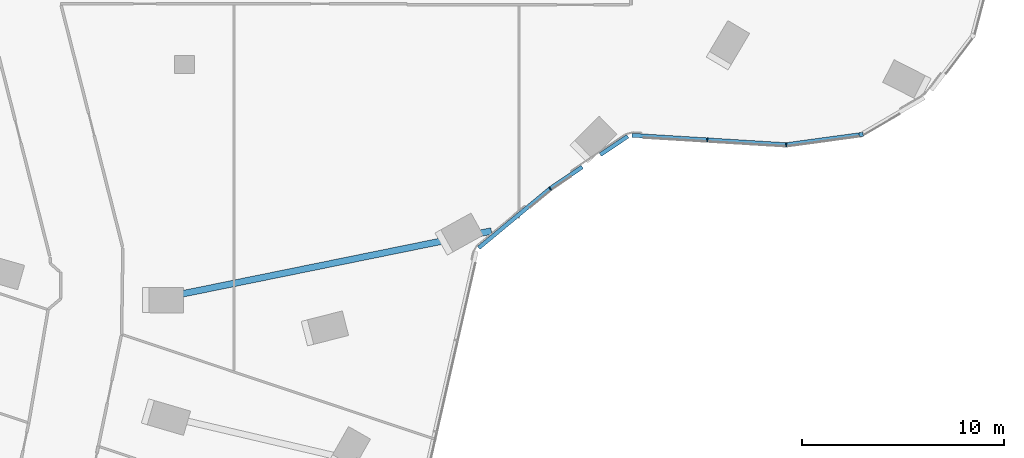
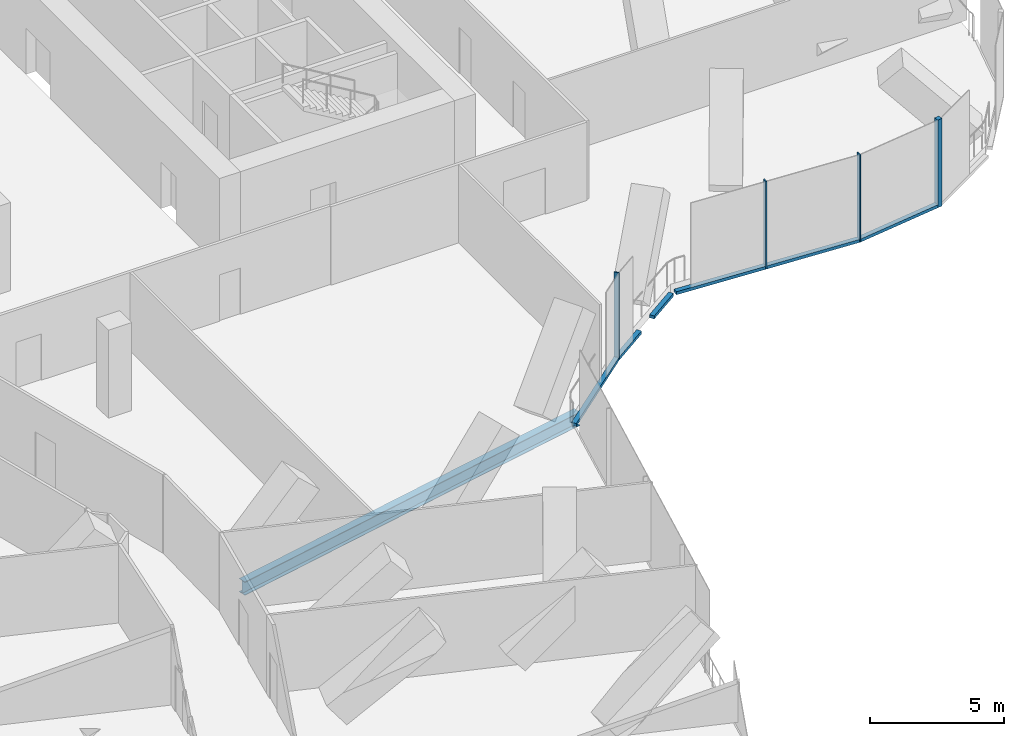
# One storey, part 7 of 28: 9 members, 1 beam, 4 elements without a shape of their own.
"""IFC4 building model written with IfcOpenShell, lengths in metres."""

from ifc_helpers import new_model, si_unit, direction, frame, origin, origin_2d, place, context, subcontext, project, spatial, rectangle, i_section, extrude, material, material_profile, profile_set, type_object, element, aggregate, save


model = new_model("IFC4")

# Units and contexts
model_context = context("Model", 3, precision=1e-05, world=origin(), true_north=direction((0.0, 1.0)))
body_context = subcontext(model_context, "Body", "Model", "MODEL_VIEW")
ifc_project = project(units=[si_unit("LENGTHUNIT", "METRE"), si_unit("AREAUNIT", "SQUARE_METRE"), si_unit("VOLUMEUNIT", "CUBIC_METRE"), si_unit("PLANEANGLEUNIT", "RADIAN"), si_unit("MASSUNIT", "GRAM", prefix="KILO")], contexts=[model_context])

# Site, building, storey
site_placement = place(None, origin())
site = spatial("IfcSite", under=ifc_project, at=site_placement, CompositionType="ELEMENT")
building_placement = place(site_placement, origin())
building = spatial("IfcBuilding", under=site, at=building_placement, Name="Orlundy Tower", CompositionType="ELEMENT")
storey_placement = place(building_placement, frame((0.0, 0.0, 163.10009765625)))
storey = spatial("IfcBuildingStorey", under=building, at=storey_placement, Name="L42", CompositionType="ELEMENT", Elevation=163.10009765625)

# Beam
ifc_material_1 = material(Name="Steel ASTM A992 Gr 50", Category="steel")
ifc_material_profile_1 = material_profile(ifc_material_1, i_section(OverallWidth=0.32373046875, OverallDepth=0.611083984375, WebThickness=0.0126953125, FlangeThickness=0.01904296875, at=origin_2d()), Name="W24X104")
ifc_profile_set_1 = profile_set([ifc_material_profile_1], Name="Steel ASTM A992 Gr 50")
beam_type = type_object("IfcBeamType", Name="CANTILEVER GIRDER beam W24X104", PredefinedType="BEAM", material=ifc_profile_set_1)
beam_placement = place(storey_placement, frame((15.15576171875, -26.220703125, -0.705810546875), z_axis=(-0.979933408855, -0.19932514696, 0.0), x_axis=(0.19932514696, -0.979933408855, 0.0)))
element("IfcBeam", 1, at=beam_placement, inside=storey, type_object=beam_type, Name="Cantilever girder C-H09 L42", PredefinedType="BEAM", context=body_context, shape_type="SweptSolid", body=[
    extrude(i_section(OverallWidth=0.32373046875, OverallDepth=0.611083984375, WebThickness=0.0126953125, FlangeThickness=0.01904296875, at=origin_2d()), origin(), (0.0, 0.0, 1.0), 16.644287109375),
])

# Curtain wall, member
ifc_material_2 = material(Name="Aluminium bronze anodised", Category="aluminium")
curtain_wall_type = type_object("IfcCurtainWallType", Name="CW5 wall", PredefinedType="NOTDEFINED", material=ifc_material_2)
curtain_wall_1_placement = place(storey_placement, origin())
curtain_wall_1 = element("IfcCurtainWall", 2, at=curtain_wall_1_placement, inside=storey, type_object=curtain_wall_type, Name="CW5 run 027", PredefinedType="NOTDEFINED")
ifc_material_3 = material(Name="Aluminium bronze anodised", Category="aluminium")
ifc_material_profile_2 = material_profile(ifc_material_3, rectangle(XDim=0.199951171875, YDim=0.199951171875, at=origin_2d()), Name="CW5 corner post 200x200")
ifc_profile_set_2 = profile_set([ifc_material_profile_2], Name="Aluminium bronze anodised")
member_type_1 = type_object("IfcMemberType", Name="CW5 corner post 200x200", PredefinedType="MULLION", material=ifc_profile_set_2)
member_1_placement = place(storey_placement, frame((33.42724609375, -21.451416015625, -0.400146484375), z_axis=(0.0, 0.0, 1.0), x_axis=(0.134884472094, -0.990861331967, 0.0)))
member_1 = element("IfcMember", 3, at=member_1_placement, type_object=member_type_1, Name="CW5 mullion 38", PredefinedType="MULLION", context=body_context, shape_type="SweptSolid", body=[
    extrude(rectangle(XDim=0.199951171875, YDim=0.199951171875, at=origin_2d()), origin(), (0.0, 0.0, 1.0), 3.97998046875),
])

# Curtain wall, members
curtain_wall_2_placement = place(storey_placement, origin())
curtain_wall_2 = element("IfcCurtainWall", 4, at=curtain_wall_2_placement, inside=storey, type_object=curtain_wall_type, Name="CW5 run 028", PredefinedType="NOTDEFINED")
ifc_material_4 = material(Name="Aluminium bronze anodised", Category="aluminium")
ifc_material_profile_3 = material_profile(ifc_material_4, rectangle(XDim=0.199951171875, YDim=0.050048828125, at=origin_2d()), Name="CW5 mullion 50x200")
ifc_profile_set_3 = profile_set([ifc_material_profile_3], Name="Aluminium bronze anodised")
member_type_2 = type_object("IfcMemberType", Name="CW5 mullion 50x200", PredefinedType="MULLION", material=ifc_profile_set_3)
member_2_placement = place(storey_placement, frame((29.724609375, -21.955322265625, -0.400146484375), z_axis=(0.0, 0.0, 1.0), x_axis=(0.037107704539, -0.999311271959, 0.0)))
member_2 = element("IfcMember", 5, at=member_2_placement, type_object=member_type_2, Name="CW5 mullion 39", PredefinedType="MULLION", context=body_context, shape_type="SweptSolid", body=[
    extrude(rectangle(XDim=0.199951171875, YDim=0.050048828125, at=origin_2d()), origin(), (0.0, 0.0, 1.0), 3.97998046875),
])
member_3_placement = place(storey_placement, frame((25.830322265625, -21.71728515625, -0.400146484375), z_axis=(0.0, 0.0, 1.0), x_axis=(-0.061026473193, -0.998136147812, 0.0)))
member_3 = element("IfcMember", 6, at=member_3_placement, type_object=member_type_2, Name="CW5 mullion 40", PredefinedType="MULLION", context=body_context, shape_type="SweptSolid", body=[
    extrude(rectangle(XDim=0.199951171875, YDim=0.050048828125, at=origin_2d()), origin(), (0.0, 0.0, 1.0), 3.97998046875),
])

# Curtain wall, member
curtain_wall_3_placement = place(storey_placement, origin())
curtain_wall_3 = element("IfcCurtainWall", 7, at=curtain_wall_3_placement, inside=storey, type_object=curtain_wall_type, Name="CW5 run 030", PredefinedType="NOTDEFINED")
member_4_placement = place(storey_placement, frame((18.06494140625, -24.1220703125, -0.400146484375), z_axis=(0.0, 0.0, 1.0), x_axis=(0.599480836952, -0.800389109201, 0.0)))
member_4 = element("IfcMember", 8, at=member_4_placement, type_object=member_type_2, Name="CW5 mullion 42", PredefinedType="MULLION", context=body_context, shape_type="SweptSolid", body=[
    extrude(rectangle(XDim=0.199951171875, YDim=0.050048828125, at=origin_2d()), origin(), (0.0, 0.0, 1.0), 3.97998046875),
])

# Member
ifc_material_5 = material(Name="Aluminium bronze anodised", Category="aluminium")
ifc_material_profile_4 = material_profile(ifc_material_5, rectangle(XDim=0.199951171875, YDim=0.139892578125, at=origin_2d()), Name="CW5 transom 200x140")
ifc_profile_set_4 = profile_set([ifc_material_profile_4], Name="Aluminium bronze anodised")
member_type_3 = type_object("IfcMemberType", Name="CW5 transom 200x140", PredefinedType="USERDEFINED", material=ifc_profile_set_4)
member_5_placement = place(storey_placement, frame((33.328125, -21.46484375, -0.330078125), z_axis=(-0.99086468924, -0.134859807275, 0.0), x_axis=(0.134859807275, -0.99086468924, 0.0)))
member_5 = element("IfcMember", 9, at=member_5_placement, type_object=member_type_3, Name="CW5 transom", ObjectType="TRANSOM", PredefinedType="USERDEFINED", context=body_context, shape_type="SweptSolid", body=[
    extrude(rectangle(XDim=0.199951171875, YDim=0.139892578125, at=origin_2d()), origin(), (0.0, 0.0, 1.0), 3.611572265625),
])

aggregate(curtain_wall_1, [member_1, member_5])

member_6_placement = place(storey_placement, frame((29.69970703125, -21.953857421875, -0.330078125), z_axis=(-0.998135823754, 0.061031773188, 0.0), x_axis=(-0.061031773188, -0.998135823754, 0.0)))
member_6 = element("IfcMember", 10, at=member_6_placement, type_object=member_type_3, Name="CW5 transom", ObjectType="TRANSOM", PredefinedType="USERDEFINED", context=body_context, shape_type="SweptSolid", body=[
    extrude(rectangle(XDim=0.199951171875, YDim=0.139892578125, at=origin_2d()), origin(), (0.0, 0.0, 1.0), 7.6083984375),
])

aggregate(curtain_wall_2, [member_2, member_3, member_6])

# Curtain wall, members
curtain_wall_4_placement = place(storey_placement, origin())
curtain_wall_4 = element("IfcCurtainWall", 11, at=curtain_wall_4_placement, inside=storey, type_object=curtain_wall_type, Name="CW5 run 029", PredefinedType="NOTDEFINED")
member_7_placement = place(storey_placement, frame((21.89697265625, -21.537841796875, -0.330078125), z_axis=(-0.829073739267, -0.559139280374, 0.0), x_axis=(0.559139280374, -0.829073739267, 0.0)))
member_7 = element("IfcMember", 12, at=member_7_placement, type_object=member_type_3, Name="CW5 transom", ObjectType="TRANSOM", PredefinedType="USERDEFINED", context=body_context, shape_type="SweptSolid", body=[
    extrude(rectangle(XDim=0.199951171875, YDim=0.139892578125, at=origin_2d()), origin(), (0.0, 0.0, 1.0), 1.63427734375),
])
member_8_placement = place(storey_placement, frame((19.649658203125, -23.053466796875, -0.330078125), z_axis=(-0.829091662238, -0.559112703851, 0.0), x_axis=(0.559112703851, -0.829091662238, 0.0)))
member_8 = element("IfcMember", 13, at=member_8_placement, type_object=member_type_3, Name="CW5 transom", ObjectType="TRANSOM", PredefinedType="USERDEFINED", context=body_context, shape_type="SweptSolid", body=[
    extrude(rectangle(XDim=0.199951171875, YDim=0.139892578125, at=origin_2d()), origin(), (0.0, 0.0, 1.0), 1.886474609375),
])
aggregate(curtain_wall_4, [member_7, member_8])

# Member
member_9_placement = place(storey_placement, frame((18.045654296875, -24.13818359375, -0.330078125), z_axis=(-0.769761805282, -0.638331233083, 0.0), x_axis=(0.638331233083, -0.769761805282, 0.0)))
member_9 = element("IfcMember", 14, at=member_9_placement, type_object=member_type_3, Name="CW5 transom", ObjectType="TRANSOM", PredefinedType="USERDEFINED", context=body_context, shape_type="SweptSolid", body=[
    extrude(rectangle(XDim=0.199951171875, YDim=0.139892578125, at=origin_2d()), origin(), (0.0, 0.0, 1.0), 4.56591796875),
])

aggregate(curtain_wall_3, [member_4, member_9])

save(model, "model.ifc")
